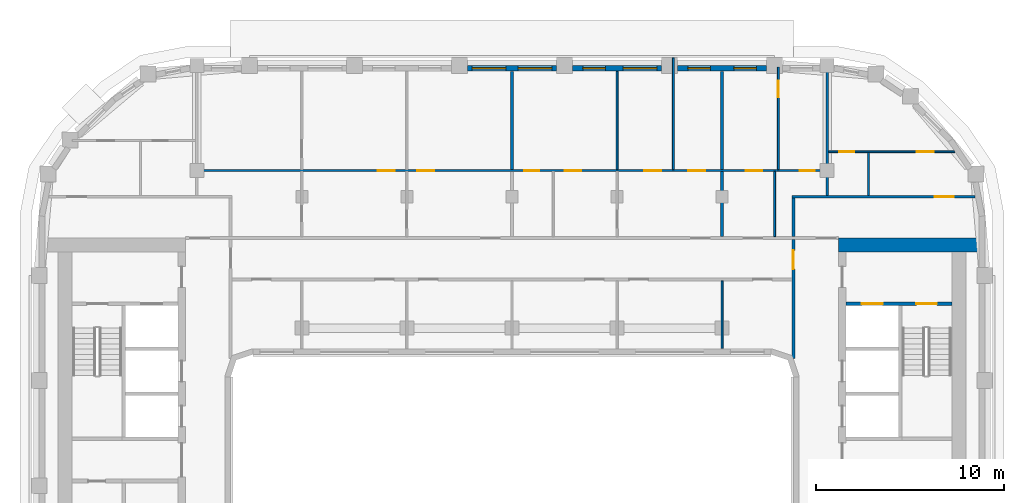
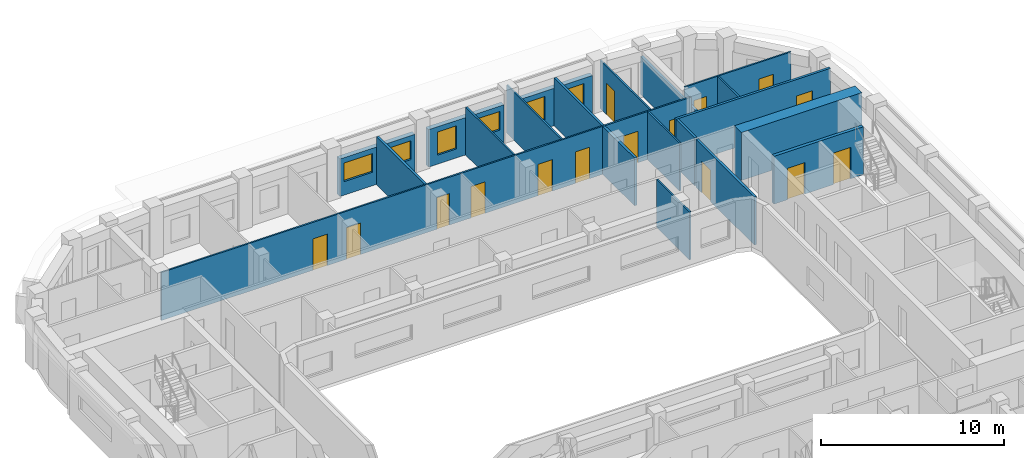
# One storey, part 8 of 21: 20 walls, 15 doors, 6 windows, 21 openings.
"""IFC4 building model written with IfcOpenShell, lengths in metres."""

from ifc_helpers import new_model, si_unit, direction, frame, frame_2d, origin, place, context, subcontext, project, spatial, rectangle, extrude, material, layer, layer_set, type_object, element, fill, save


model = new_model("IFC4")

# Units and contexts
model_context = context("Model", 3, precision=1e-05, world=origin(), true_north=direction((0.0, 1.0)))
body_context = subcontext(model_context, "Body", "Model", "MODEL_VIEW")
ifc_project = project(units=[si_unit("LENGTHUNIT", "METRE"), si_unit("AREAUNIT", "SQUARE_METRE"), si_unit("VOLUMEUNIT", "CUBIC_METRE"), si_unit("PLANEANGLEUNIT", "RADIAN"), si_unit("MASSUNIT", "GRAM", prefix="KILO")], contexts=[model_context])

# Site, building, storey
site_placement = place(None, origin())
site = spatial("IfcSite", under=ifc_project, at=site_placement, CompositionType="ELEMENT")
building_placement = place(site_placement, origin())
building = spatial("IfcBuilding", under=site, at=building_placement, Name="Kiln Ring Residences", CompositionType="ELEMENT")
storey_placement = place(building_placement, frame((0.0, 0.0, 216.89990234375)))
storey = spatial("IfcBuildingStorey", under=building, at=storey_placement, Name="L56", CompositionType="ELEMENT", Elevation=216.89990234375)

# Wall, openings, doors
ifc_material_1 = material(Name="Concrete C40/50", Category="concrete")
ifc_layer_1 = layer(ifc_material_1, 0.199951171875)
ifc_layer_set_1 = layer_set([ifc_layer_1], Name="CORE-WALL-RC200")
wall_type_1 = type_object("IfcWallType", Name="CORE-WALL-RC200", PredefinedType="SHEAR", material=ifc_layer_set_1)
wall_1_placement = place(storey_placement, frame((17.800048828125, 9.699951171875, 0.0), z_axis=(0.0, 0.0, 1.0), x_axis=(1.0, 0.0, 0.0)))
wall_1 = element("IfcWall", 1, at=wall_1_placement, inside=storey, type_object=wall_type_1, Name="Core wall east L56 9", PredefinedType="SHEAR", context=body_context, shape_type="SweptSolid", body=[
    extrude(rectangle(XDim=5.64990234375, YDim=0.199951171875, at=frame_2d((2.824951171875, 0.0))), origin(), (0.0, 0.0, 1.0), 3.2001953125),
])
opening_1_placement = place(wall_1_placement, frame((0.85009765625, 0.0, 0.0)))
opening_1 = element("IfcOpeningElement", 2, at=opening_1_placement, cuts=wall_1, Name="Opening L56-CE06", PredefinedType="OPENING", context=body_context, shape_type="SweptSolid", body=[
    extrude(rectangle(XDim=1.10009765625, YDim=2.10009765625, at=frame_2d((0.550048828125, 1.050048828125))), frame((0.0, 0.10986328125, 0.0), z_axis=(0.0, -1.0, 0.0), x_axis=(1.0, 0.0, 0.0)), (0.0, 0.0, 1.0), 0.219970703125),
])
opening_2_placement = place(wall_1_placement, frame((3.75, 0.0, 0.0)))
opening_2 = element("IfcOpeningElement", 3, at=opening_2_placement, cuts=wall_1, Name="Opening L56-CE09", PredefinedType="OPENING", context=body_context, shape_type="SweptSolid", body=[
    extrude(rectangle(XDim=1.10009765625, YDim=2.10009765625, at=frame_2d((0.550048828125, 1.050048828125))), frame((0.0, 0.10986328125, 0.0), z_axis=(0.0, -1.0, 0.0), x_axis=(1.0, 0.0, 0.0)), (0.0, 0.0, 1.0), 0.219970703125),
])
ifc_material_2 = material(Name="Steel door leaf", Category="steel")
door_type_1 = type_object("IfcDoorType", Name="CORE-DOOR-LD", OperationType="DOUBLE_DOOR_SLIDING", PredefinedType="DOOR", material=ifc_material_2)
door_1_placement = place(opening_1_placement, origin())
door_1 = element("IfcDoor", 4, at=door_1_placement, inside=storey, type_object=door_type_1, Name="LD E-FF L56-CE06", OperationType="DOUBLE_DOOR_SLIDING", OverallHeight=2.10009765625, OverallWidth=1.10009765625, PredefinedType="DOOR", context=body_context, shape_type="SweptSolid", body=[
    extrude(rectangle(XDim=1.10009765625, YDim=2.10009765625, at=frame_2d((0.550048828125, 1.050048828125))), frame((0.0, 0.02490234375, 0.0), z_axis=(0.0, -1.0, 0.0), x_axis=(1.0, 0.0, 0.0)), (0.0, 0.0, 1.0), 0.050048828125),
])
fill(opening_1, door_1)
ifc_material_3 = material(Name="Steel door leaf", Category="steel")
door_type_2 = type_object("IfcDoorType", Name="CORE-DOOR-STAIR", OperationType="SINGLE_SWING_LEFT", PredefinedType="DOOR", material=ifc_material_3)
door_2_placement = place(opening_2_placement, origin())
door_2 = element("IfcDoor", 5, at=door_2_placement, inside=storey, type_object=door_type_2, Name="Stair E-STN L56-CE09", OperationType="SINGLE_SWING_RIGHT", OverallHeight=2.10009765625, OverallWidth=1.10009765625, PredefinedType="DOOR", context=body_context, shape_type="SweptSolid", body=[
    extrude(rectangle(XDim=1.10009765625, YDim=2.10009765625, at=frame_2d((0.550048828125, 1.050048828125))), frame((0.0, 0.02490234375, 0.0), z_axis=(0.0, -1.0, 0.0), x_axis=(1.0, 0.0, 0.0)), (0.0, 0.0, 1.0), 0.050048828125),
])
fill(opening_2, door_2)

# Wall
ifc_material_4 = material(Name="Concrete C60/75", Category="concrete")
ifc_layer_2 = layer(ifc_material_4, 0.75)
ifc_layer_set_2 = layer_set([ifc_layer_2], Name="CORE-WALL-RC750")
wall_type_2 = type_object("IfcWallType", Name="CORE-WALL-RC750", PredefinedType="SHEAR", material=ifc_layer_set_2)
wall_2_placement = place(storey_placement, frame((17.39990234375, 12.824951171875, 0.0), z_axis=(0.0, 0.0, 1.0), x_axis=(1.0, 0.0, 0.0)))
element("IfcWall", 6, at=wall_2_placement, inside=storey, type_object=wall_type_2, Name="Core wall east L56 4", PredefinedType="SHEAR", context=body_context, shape_type="SweptSolid", body=[
    extrude(rectangle(XDim=7.60009765625, YDim=0.75, at=frame_2d((3.800048828125, 0.0))), origin(), (0.0, 0.0, 1.0), 3.2001953125),
])

# Wall, openings, windows
ifc_material_5 = material(Name="Brick masonry, dark clay brick", Category="masonry")
ifc_layer_3 = layer(ifc_material_5, 0.300048828125)
ifc_layer_set_3 = layer_set([ifc_layer_3], Name="EW-300 BRICK WALL")
wall_type_3 = type_object("IfcWallType", Name="EW-300 BRICK WALL", PredefinedType="SOLIDWALL", material=ifc_layer_set_3)
wall_3_placement = place(storey_placement, frame((13.574951171875, 22.25, 0.0), z_axis=(0.0, 0.0, 1.0), x_axis=(-1.0, 0.0, 0.0)))
wall_3 = element("IfcWall", 7, at=wall_3_placement, inside=storey, type_object=wall_type_3, Name="Facade wall L56 28", PredefinedType="SOLIDWALL", context=body_context, shape_type="SweptSolid", body=[
    extrude(rectangle(XDim=4.75, YDim=0.300048828125, at=frame_2d((2.375, 0.0))), origin(), (0.0, 0.0, 1.0), 2.5),
])
opening_3_placement = place(wall_3_placement, frame((0.550048828125, 0.0, 0.60009765625)))
opening_3 = element("IfcOpeningElement", 8, at=opening_3_placement, cuts=wall_3, Name="Opening W1", PredefinedType="OPENING", context=body_context, shape_type="SweptSolid", body=[
    extrude(rectangle(XDim=1.199951171875, YDim=1.550048828125, at=frame_2d((0.60009765625, 0.77490234375))), frame((0.0, 0.159912109375, 0.0), z_axis=(0.0, -1.0, 0.0), x_axis=(1.0, 0.0, 0.0)), (0.0, 0.0, 1.0), 0.320068359375),
])
opening_4_placement = place(wall_3_placement, frame((3.0, 0.0, 0.60009765625)))
opening_4 = element("IfcOpeningElement", 9, at=opening_4_placement, cuts=wall_3, Name="Opening W1", PredefinedType="OPENING", context=body_context, shape_type="SweptSolid", body=[
    extrude(rectangle(XDim=1.199951171875, YDim=1.550048828125, at=frame_2d((0.60009765625, 0.77490234375))), frame((0.0, 0.159912109375, 0.0), z_axis=(0.0, -1.0, 0.0), x_axis=(1.0, 0.0, 0.0)), (0.0, 0.0, 1.0), 0.320068359375),
])
ifc_material_6 = material(Name="Aluminium frame with double glazing", Category="aluminium")
window_type_1 = type_object("IfcWindowType", Name="WINDOW 1200 x 1550", PartitioningType="SINGLE_PANEL", PredefinedType="WINDOW", material=ifc_material_6)
window_1_placement = place(opening_3_placement, origin())
window_1 = element("IfcWindow", 10, at=window_1_placement, inside=storey, type_object=window_type_1, Name="Window L56 20", OverallHeight=1.550048828125, OverallWidth=1.199951171875, PartitioningType="SINGLE_PANEL", PredefinedType="WINDOW", context=body_context, shape_type="SweptSolid", body=[
    extrude(rectangle(XDim=1.199951171875, YDim=1.550048828125, at=frame_2d((0.60009765625, 0.77490234375))), frame((0.0, 0.030029296875, 0.0), z_axis=(0.0, -1.0, 0.0), x_axis=(1.0, 0.0, 0.0)), (0.0, 0.0, 1.0), 0.06005859375),
])
fill(opening_3, window_1)
window_2_placement = place(opening_4_placement, origin())
window_2 = element("IfcWindow", 11, at=window_2_placement, inside=storey, type_object=window_type_1, Name="Window L56 21", OverallHeight=1.550048828125, OverallWidth=1.199951171875, PartitioningType="SINGLE_PANEL", PredefinedType="WINDOW", context=body_context, shape_type="SweptSolid", body=[
    extrude(rectangle(XDim=1.199951171875, YDim=1.550048828125, at=frame_2d((0.60009765625, 0.77490234375))), frame((0.0, 0.030029296875, 0.0), z_axis=(0.0, -1.0, 0.0), x_axis=(1.0, 0.0, 0.0)), (0.0, 0.0, 1.0), 0.06005859375),
])
fill(opening_4, window_2)

wall_4_placement = place(storey_placement, frame((7.97509765625, 22.25, 0.0), z_axis=(0.0, 0.0, 1.0), x_axis=(-1.0, 0.0, 0.0)))
wall_4 = element("IfcWall", 12, at=wall_4_placement, inside=storey, type_object=wall_type_3, Name="Facade wall L56 29", PredefinedType="SOLIDWALL", context=body_context, shape_type="SweptSolid", body=[
    extrude(rectangle(XDim=4.75, YDim=0.300048828125, at=frame_2d((2.375, 0.0))), origin(), (0.0, 0.0, 1.0), 2.5),
])
opening_5_placement = place(wall_4_placement, frame((0.25, 0.0, 0.89990234375)))
opening_5 = element("IfcOpeningElement", 13, at=opening_5_placement, cuts=wall_4, Name="Opening W2", PredefinedType="OPENING", context=body_context, shape_type="SweptSolid", body=[
    extrude(rectangle(XDim=1.800048828125, YDim=1.25, at=frame_2d((0.89990234375, 0.625))), frame((0.0, 0.159912109375, 0.0), z_axis=(0.0, -1.0, 0.0), x_axis=(1.0, 0.0, 0.0)), (0.0, 0.0, 1.0), 0.320068359375),
])
opening_6_placement = place(wall_4_placement, frame((3.0, 0.0, 0.60009765625)))
opening_6 = element("IfcOpeningElement", 14, at=opening_6_placement, cuts=wall_4, Name="Opening W1", PredefinedType="OPENING", context=body_context, shape_type="SweptSolid", body=[
    extrude(rectangle(XDim=1.199951171875, YDim=1.550048828125, at=frame_2d((0.60009765625, 0.77490234375))), frame((0.0, 0.159912109375, 0.0), z_axis=(0.0, -1.0, 0.0), x_axis=(1.0, 0.0, 0.0)), (0.0, 0.0, 1.0), 0.320068359375),
])
window_3_placement = place(opening_6_placement, origin())
window_3 = element("IfcWindow", 15, at=window_3_placement, inside=storey, type_object=window_type_1, Name="Window L56 23", OverallHeight=1.550048828125, OverallWidth=1.199951171875, PartitioningType="SINGLE_PANEL", PredefinedType="WINDOW", context=body_context, shape_type="SweptSolid", body=[
    extrude(rectangle(XDim=1.199951171875, YDim=1.550048828125, at=frame_2d((0.60009765625, 0.77490234375))), frame((0.0, 0.030029296875, 0.0), z_axis=(0.0, -1.0, 0.0), x_axis=(1.0, 0.0, 0.0)), (0.0, 0.0, 1.0), 0.06005859375),
])
fill(opening_6, window_3)
ifc_material_7 = material(Name="Aluminium frame with double glazing", Category="aluminium")
window_type_2 = type_object("IfcWindowType", Name="WINDOW 1800 x 1250", PartitioningType="SINGLE_PANEL", PredefinedType="WINDOW", material=ifc_material_7)
window_4_placement = place(opening_5_placement, origin())
window_4 = element("IfcWindow", 16, at=window_4_placement, inside=storey, type_object=window_type_2, Name="Window L56 22", OverallHeight=1.25, OverallWidth=1.800048828125, PartitioningType="SINGLE_PANEL", PredefinedType="WINDOW", context=body_context, shape_type="SweptSolid", body=[
    extrude(rectangle(XDim=1.800048828125, YDim=1.25, at=frame_2d((0.89990234375, 0.625))), frame((0.0, 0.030029296875, 0.0), z_axis=(0.0, -1.0, 0.0), x_axis=(1.0, 0.0, 0.0)), (0.0, 0.0, 1.0), 0.06005859375),
])
fill(opening_5, window_4)

wall_5_placement = place(storey_placement, frame((2.375, 22.25, 0.0), z_axis=(0.0, 0.0, 1.0), x_axis=(-1.0, 0.0, 0.0)))
wall_5 = element("IfcWall", 17, at=wall_5_placement, inside=storey, type_object=wall_type_3, Name="Facade wall L56 30", PredefinedType="SOLIDWALL", context=body_context, shape_type="SweptSolid", body=[
    extrude(rectangle(XDim=4.75, YDim=0.300048828125, at=frame_2d((2.375, 0.0))), origin(), (0.0, 0.0, 1.0), 2.5),
])
opening_7_placement = place(wall_5_placement, frame((0.25, 0.0, 0.89990234375)))
opening_7 = element("IfcOpeningElement", 18, at=opening_7_placement, cuts=wall_5, Name="Opening W2", PredefinedType="OPENING", context=body_context, shape_type="SweptSolid", body=[
    extrude(rectangle(XDim=1.800048828125, YDim=1.25, at=frame_2d((0.89990234375, 0.625))), frame((0.0, 0.159912109375, 0.0), z_axis=(0.0, -1.0, 0.0), x_axis=(1.0, 0.0, 0.0)), (0.0, 0.0, 1.0), 0.320068359375),
])
opening_8_placement = place(wall_5_placement, frame((2.699951171875, 0.0, 0.89990234375)))
opening_8 = element("IfcOpeningElement", 19, at=opening_8_placement, cuts=wall_5, Name="Opening W2", PredefinedType="OPENING", context=body_context, shape_type="SweptSolid", body=[
    extrude(rectangle(XDim=1.800048828125, YDim=1.25, at=frame_2d((0.89990234375, 0.625))), frame((0.0, 0.159912109375, 0.0), z_axis=(0.0, -1.0, 0.0), x_axis=(1.0, 0.0, 0.0)), (0.0, 0.0, 1.0), 0.320068359375),
])
window_5_placement = place(opening_7_placement, origin())
window_5 = element("IfcWindow", 20, at=window_5_placement, inside=storey, type_object=window_type_2, Name="Window L56 24", OverallHeight=1.25, OverallWidth=1.800048828125, PartitioningType="SINGLE_PANEL", PredefinedType="WINDOW", context=body_context, shape_type="SweptSolid", body=[
    extrude(rectangle(XDim=1.800048828125, YDim=1.25, at=frame_2d((0.89990234375, 0.625))), frame((0.0, 0.030029296875, 0.0), z_axis=(0.0, -1.0, 0.0), x_axis=(1.0, 0.0, 0.0)), (0.0, 0.0, 1.0), 0.06005859375),
])
fill(opening_7, window_5)
window_6_placement = place(opening_8_placement, origin())
window_6 = element("IfcWindow", 21, at=window_6_placement, inside=storey, type_object=window_type_2, Name="Window L56 25", OverallHeight=1.25, OverallWidth=1.800048828125, PartitioningType="SINGLE_PANEL", PredefinedType="WINDOW", context=body_context, shape_type="SweptSolid", body=[
    extrude(rectangle(XDim=1.800048828125, YDim=1.25, at=frame_2d((0.89990234375, 0.625))), frame((0.0, 0.030029296875, 0.0), z_axis=(0.0, -1.0, 0.0), x_axis=(1.0, 0.0, 0.0)), (0.0, 0.0, 1.0), 0.06005859375),
])
fill(opening_8, window_6)

# Wall, openings, doors
ifc_material_8 = material(Name="Gypsum board on steel studs", Category="steel")
ifc_layer_4 = layer(ifc_material_8, 0.10009765625)
ifc_layer_set_4 = layer_set([ifc_layer_4], Name="PARTITION-100")
wall_type_4 = type_object("IfcWallType", Name="PARTITION-100", PredefinedType="PARTITIONING", material=ifc_layer_set_4)
wall_6_placement = place(storey_placement, frame((-16.72509765625, 16.800048828125, 0.0), z_axis=(0.0, 0.0, 1.0), x_axis=(1.0, 0.0, 0.0)))
wall_6 = element("IfcWall", 22, at=wall_6_placement, inside=storey, type_object=wall_type_4, Name="Partition 011", PredefinedType="PARTITIONING", context=body_context, shape_type="SweptSolid", body=[
    extrude(rectangle(XDim=33.4501953125, YDim=0.10009765625, at=frame_2d((16.72509765625, 0.0))), origin(), (0.0, 0.0, 1.0), 3.2001953125),
])
opening_9_placement = place(wall_6_placement, frame((11.675048828125, 0.0, 0.0)))
opening_9 = element("IfcOpeningElement", 23, at=opening_9_placement, cuts=wall_6, Name="Opening L56-D018", PredefinedType="OPENING", context=body_context, shape_type="SweptSolid", body=[
    extrude(rectangle(XDim=0.89990234375, YDim=2.10009765625, at=frame_2d((0.449951171875, 1.050048828125))), frame((0.0, 0.06005859375, 0.0), z_axis=(0.0, -1.0, 0.0), x_axis=(1.0, 0.0, 0.0)), (0.0, 0.0, 1.0), 0.1201171875),
])
opening_10_placement = place(wall_6_placement, frame((9.574951171875, 0.0, 0.0)))
opening_10 = element("IfcOpeningElement", 24, at=opening_10_placement, cuts=wall_6, Name="Opening L56-D019", PredefinedType="OPENING", context=body_context, shape_type="SweptSolid", body=[
    extrude(rectangle(XDim=0.89990234375, YDim=2.10009765625, at=frame_2d((0.449951171875, 1.050048828125))), frame((0.0, 0.06005859375, 0.0), z_axis=(0.0, -1.0, 0.0), x_axis=(1.0, 0.0, 0.0)), (0.0, 0.0, 1.0), 0.1201171875),
])
opening_11_placement = place(wall_6_placement, frame((17.375, 0.0, 0.0)))
opening_11 = element("IfcOpeningElement", 25, at=opening_11_placement, cuts=wall_6, Name="Opening L56-D023", PredefinedType="OPENING", context=body_context, shape_type="SweptSolid", body=[
    extrude(rectangle(XDim=0.800048828125, YDim=2.10009765625, at=frame_2d((0.39990234375, 1.050048828125))), frame((0.0, 0.06005859375, 0.0), z_axis=(0.0, -1.0, 0.0), x_axis=(1.0, 0.0, 0.0)), (0.0, 0.0, 1.0), 0.1201171875),
])
opening_12_placement = place(wall_6_placement, frame((19.52490234375, 0.0, 0.0)))
opening_12 = element("IfcOpeningElement", 26, at=opening_12_placement, cuts=wall_6, Name="Opening L56-D024", PredefinedType="OPENING", context=body_context, shape_type="SweptSolid", body=[
    extrude(rectangle(XDim=0.89990234375, YDim=2.10009765625, at=frame_2d((0.449951171875, 1.050048828125))), frame((0.0, 0.06005859375, 0.0), z_axis=(0.0, -1.0, 0.0), x_axis=(1.0, 0.0, 0.0)), (0.0, 0.0, 1.0), 0.1201171875),
])
opening_13_placement = place(wall_6_placement, frame((23.77490234375, 0.0, 0.0)))
opening_13 = element("IfcOpeningElement", 27, at=opening_13_placement, cuts=wall_6, Name="Opening L56-D025", PredefinedType="OPENING", context=body_context, shape_type="SweptSolid", body=[
    extrude(rectangle(XDim=0.89990234375, YDim=2.10009765625, at=frame_2d((0.449951171875, 1.050048828125))), frame((0.0, 0.06005859375, 0.0), z_axis=(0.0, -1.0, 0.0), x_axis=(1.0, 0.0, 0.0)), (0.0, 0.0, 1.0), 0.1201171875),
])
opening_14_placement = place(wall_6_placement, frame((26.125, 0.0, 0.0)))
opening_14 = element("IfcOpeningElement", 28, at=opening_14_placement, cuts=wall_6, Name="Opening L56-D026", PredefinedType="OPENING", context=body_context, shape_type="SweptSolid", body=[
    extrude(rectangle(XDim=0.89990234375, YDim=2.10009765625, at=frame_2d((0.449951171875, 1.050048828125))), frame((0.0, 0.06005859375, 0.0), z_axis=(0.0, -1.0, 0.0), x_axis=(1.0, 0.0, 0.0)), (0.0, 0.0, 1.0), 0.1201171875),
])
opening_15_placement = place(wall_6_placement, frame((32.074951171875, 0.0, 0.0)))
opening_15 = element("IfcOpeningElement", 29, at=opening_15_placement, cuts=wall_6, Name="Opening L56-D028", PredefinedType="OPENING", context=body_context, shape_type="SweptSolid", body=[
    extrude(rectangle(XDim=0.800048828125, YDim=2.10009765625, at=frame_2d((0.39990234375, 1.050048828125))), frame((0.0, 0.06005859375, 0.0), z_axis=(0.0, -1.0, 0.0), x_axis=(1.0, 0.0, 0.0)), (0.0, 0.0, 1.0), 0.1201171875),
])
opening_16_placement = place(wall_6_placement, frame((29.175048828125, 0.0, 0.0)))
opening_16 = element("IfcOpeningElement", 30, at=opening_16_placement, cuts=wall_6, Name="Opening L56-D029", PredefinedType="OPENING", context=body_context, shape_type="SweptSolid", body=[
    extrude(rectangle(XDim=0.89990234375, YDim=2.10009765625, at=frame_2d((0.449951171875, 1.050048828125))), frame((0.0, 0.06005859375, 0.0), z_axis=(0.0, -1.0, 0.0), x_axis=(1.0, 0.0, 0.0)), (0.0, 0.0, 1.0), 0.1201171875),
])
ifc_material_9 = material(Name="Timber door leaf", Category="wood")
door_type_3 = type_object("IfcDoorType", Name="FLAT-DOOR-800-PL", OperationType="SINGLE_SWING_LEFT", PredefinedType="DOOR", material=ifc_material_9)
door_3_placement = place(opening_11_placement, origin())
door_3 = element("IfcDoor", 31, at=door_3_placement, inside=storey, type_object=door_type_3, Name="Door L56-D023", OperationType="SINGLE_SWING_LEFT", OverallHeight=2.10009765625, OverallWidth=0.800048828125, PredefinedType="DOOR", context=body_context, shape_type="SweptSolid", body=[
    extrude(rectangle(XDim=0.800048828125, YDim=2.10009765625, at=frame_2d((0.39990234375, 1.050048828125))), frame((0.0, 0.02490234375, 0.0), z_axis=(0.0, -1.0, 0.0), x_axis=(1.0, 0.0, 0.0)), (0.0, 0.0, 1.0), 0.050048828125),
])
fill(opening_11, door_3)
door_4_placement = place(opening_15_placement, origin())
door_4 = element("IfcDoor", 32, at=door_4_placement, inside=storey, type_object=door_type_3, Name="Door L56-D028", OperationType="SINGLE_SWING_RIGHT", OverallHeight=2.10009765625, OverallWidth=0.800048828125, PredefinedType="DOOR", context=body_context, shape_type="SweptSolid", body=[
    extrude(rectangle(XDim=0.800048828125, YDim=2.10009765625, at=frame_2d((0.39990234375, 1.050048828125))), frame((0.0, 0.02490234375, 0.0), z_axis=(0.0, -1.0, 0.0), x_axis=(1.0, 0.0, 0.0)), (0.0, 0.0, 1.0), 0.050048828125),
])
fill(opening_15, door_4)
ifc_material_10 = material(Name="Timber door leaf", Category="wood")
door_type_4 = type_object("IfcDoorType", Name="FLAT-DOOR-900-PL", OperationType="SINGLE_SWING_LEFT", PredefinedType="DOOR", material=ifc_material_10)
door_5_placement = place(opening_9_placement, origin())
door_5 = element("IfcDoor", 33, at=door_5_placement, inside=storey, type_object=door_type_4, Name="Door L56-D018", OperationType="SINGLE_SWING_RIGHT", OverallHeight=2.10009765625, OverallWidth=0.89990234375, PredefinedType="DOOR", context=body_context, shape_type="SweptSolid", body=[
    extrude(rectangle(XDim=0.89990234375, YDim=2.10009765625, at=frame_2d((0.449951171875, 1.050048828125))), frame((0.0, 0.02490234375, 0.0), z_axis=(0.0, -1.0, 0.0), x_axis=(1.0, 0.0, 0.0)), (0.0, 0.0, 1.0), 0.050048828125),
])
fill(opening_9, door_5)
door_6_placement = place(opening_10_placement, origin())
door_6 = element("IfcDoor", 34, at=door_6_placement, inside=storey, type_object=door_type_4, Name="Door L56-D019", OperationType="SINGLE_SWING_LEFT", OverallHeight=2.10009765625, OverallWidth=0.89990234375, PredefinedType="DOOR", context=body_context, shape_type="SweptSolid", body=[
    extrude(rectangle(XDim=0.89990234375, YDim=2.10009765625, at=frame_2d((0.449951171875, 1.050048828125))), frame((0.0, 0.02490234375, 0.0), z_axis=(0.0, -1.0, 0.0), x_axis=(1.0, 0.0, 0.0)), (0.0, 0.0, 1.0), 0.050048828125),
])
fill(opening_10, door_6)
door_7_placement = place(opening_12_placement, origin())
door_7 = element("IfcDoor", 35, at=door_7_placement, inside=storey, type_object=door_type_4, Name="Door L56-D024", OperationType="SINGLE_SWING_RIGHT", OverallHeight=2.10009765625, OverallWidth=0.89990234375, PredefinedType="DOOR", context=body_context, shape_type="SweptSolid", body=[
    extrude(rectangle(XDim=0.89990234375, YDim=2.10009765625, at=frame_2d((0.449951171875, 1.050048828125))), frame((0.0, 0.02490234375, 0.0), z_axis=(0.0, -1.0, 0.0), x_axis=(1.0, 0.0, 0.0)), (0.0, 0.0, 1.0), 0.050048828125),
])
fill(opening_12, door_7)
door_8_placement = place(opening_13_placement, origin())
door_8 = element("IfcDoor", 36, at=door_8_placement, inside=storey, type_object=door_type_4, Name="Door L56-D025", OperationType="SINGLE_SWING_LEFT", OverallHeight=2.10009765625, OverallWidth=0.89990234375, PredefinedType="DOOR", context=body_context, shape_type="SweptSolid", body=[
    extrude(rectangle(XDim=0.89990234375, YDim=2.10009765625, at=frame_2d((0.449951171875, 1.050048828125))), frame((0.0, 0.02490234375, 0.0), z_axis=(0.0, -1.0, 0.0), x_axis=(1.0, 0.0, 0.0)), (0.0, 0.0, 1.0), 0.050048828125),
])
fill(opening_13, door_8)
door_9_placement = place(opening_14_placement, origin())
door_9 = element("IfcDoor", 37, at=door_9_placement, inside=storey, type_object=door_type_4, Name="Door L56-D026", OperationType="SINGLE_SWING_RIGHT", OverallHeight=2.10009765625, OverallWidth=0.89990234375, PredefinedType="DOOR", context=body_context, shape_type="SweptSolid", body=[
    extrude(rectangle(XDim=0.89990234375, YDim=2.10009765625, at=frame_2d((0.449951171875, 1.050048828125))), frame((0.0, 0.02490234375, 0.0), z_axis=(0.0, -1.0, 0.0), x_axis=(1.0, 0.0, 0.0)), (0.0, 0.0, 1.0), 0.050048828125),
])
fill(opening_14, door_9)
door_10_placement = place(opening_16_placement, origin())
door_10 = element("IfcDoor", 38, at=door_10_placement, inside=storey, type_object=door_type_4, Name="Door L56-D029", OperationType="SINGLE_SWING_LEFT", OverallHeight=2.10009765625, OverallWidth=0.89990234375, PredefinedType="DOOR", context=body_context, shape_type="SweptSolid", body=[
    extrude(rectangle(XDim=0.89990234375, YDim=2.10009765625, at=frame_2d((0.449951171875, 1.050048828125))), frame((0.0, 0.02490234375, 0.0), z_axis=(0.0, -1.0, 0.0), x_axis=(1.0, 0.0, 0.0)), (0.0, 0.0, 1.0), 0.050048828125),
])
fill(opening_16, door_10)

wall_7_placement = place(storey_placement, frame((16.875, 17.800048828125, 0.0), z_axis=(0.0, 0.0, 1.0), x_axis=(1.0, 0.0, 0.0)))
wall_7 = element("IfcWall", 39, at=wall_7_placement, inside=storey, type_object=wall_type_4, Name="Partition 012", PredefinedType="PARTITIONING", context=body_context, shape_type="SweptSolid", body=[
    extrude(rectangle(XDim=6.718994140625, YDim=0.10009765625, at=frame_2d((3.359375, 0.0))), origin(), (0.0, 0.0, 1.0), 3.2001953125),
])
opening_17_placement = place(wall_7_placement, frame((0.574951171875, 0.0, 0.0)))
opening_17 = element("IfcOpeningElement", 40, at=opening_17_placement, cuts=wall_7, Name="Opening L56-D032", PredefinedType="OPENING", context=body_context, shape_type="SweptSolid", body=[
    extrude(rectangle(XDim=0.800048828125, YDim=2.10009765625, at=frame_2d((0.39990234375, 1.050048828125))), frame((0.0, 0.06005859375, 0.0), z_axis=(0.0, -1.0, 0.0), x_axis=(1.0, 0.0, 0.0)), (0.0, 0.0, 1.0), 0.1201171875),
])
opening_18_placement = place(wall_7_placement, frame((4.693115234375, 0.0, 0.0)))
opening_18 = element("IfcOpeningElement", 41, at=opening_18_placement, cuts=wall_7, Name="Opening L56-D033", PredefinedType="OPENING", context=body_context, shape_type="SweptSolid", body=[
    extrude(rectangle(XDim=0.89990234375, YDim=2.10009765625, at=frame_2d((0.449951171875, 1.050048828125))), frame((0.0, 0.06005859375, 0.0), z_axis=(0.0, -1.0, 0.0), x_axis=(1.0, 0.0, 0.0)), (0.0, 0.0, 1.0), 0.1201171875),
])
door_11_placement = place(opening_17_placement, origin())
door_11 = element("IfcDoor", 42, at=door_11_placement, inside=storey, type_object=door_type_3, Name="Door L56-D032", OperationType="SINGLE_SWING_RIGHT", OverallHeight=2.10009765625, OverallWidth=0.800048828125, PredefinedType="DOOR", context=body_context, shape_type="SweptSolid", body=[
    extrude(rectangle(XDim=0.800048828125, YDim=2.10009765625, at=frame_2d((0.39990234375, 1.050048828125))), frame((0.0, 0.02490234375, 0.0), z_axis=(0.0, -1.0, 0.0), x_axis=(1.0, 0.0, 0.0)), (0.0, 0.0, 1.0), 0.050048828125),
])
fill(opening_17, door_11)
door_12_placement = place(opening_18_placement, origin())
door_12 = element("IfcDoor", 43, at=door_12_placement, inside=storey, type_object=door_type_4, Name="Door L56-D033", OperationType="SINGLE_SWING_LEFT", OverallHeight=2.10009765625, OverallWidth=0.89990234375, PredefinedType="DOOR", context=body_context, shape_type="SweptSolid", body=[
    extrude(rectangle(XDim=0.89990234375, YDim=2.10009765625, at=frame_2d((0.449951171875, 1.050048828125))), frame((0.0, 0.02490234375, 0.0), z_axis=(0.0, -1.0, 0.0), x_axis=(1.0, 0.0, 0.0)), (0.0, 0.0, 1.0), 0.050048828125),
])
fill(opening_18, door_12)

# Walls
wall_8_placement = place(storey_placement, frame((5.60009765625, 16.85009765625, 0.0), z_axis=(0.0, 0.0, 1.0), x_axis=(0.0, 1.0, 0.0)))
element("IfcWall", 44, at=wall_8_placement, inside=storey, type_object=wall_type_4, Name="Partition 050", PredefinedType="PARTITIONING", context=body_context, shape_type="SweptSolid", body=[
    extrude(rectangle(XDim=5.22998046875, YDim=0.10009765625, at=frame_2d((2.614990234375, 0.0))), origin(), (0.0, 0.0, 1.0), 3.2001953125),
])
wall_9_placement = place(storey_placement, frame((8.60009765625, 16.85009765625, 0.0), z_axis=(0.0, 0.0, 1.0), x_axis=(0.0, 1.0, 0.0)))
element("IfcWall", 45, at=wall_9_placement, inside=storey, type_object=wall_type_4, Name="Partition 052", PredefinedType="PARTITIONING", context=body_context, shape_type="SweptSolid", body=[
    extrude(rectangle(XDim=5.954833984375, YDim=0.10009765625, at=frame_2d((2.9775390625, 0.0))), origin(), (0.0, 0.0, 1.0), 3.2001953125),
])
wall_10_placement = place(storey_placement, frame((11.199951171875, 7.320068359375, 0.0), z_axis=(0.0, 0.0, 1.0), x_axis=(0.0, 1.0, 0.0)))
element("IfcWall", 46, at=wall_10_placement, inside=storey, type_object=wall_type_4, Name="Partition 054", PredefinedType="PARTITIONING", context=body_context, shape_type="SweptSolid", body=[
    extrude(rectangle(XDim=3.60498046875, YDim=0.10009765625, at=frame_2d((1.802490234375, 0.0))), origin(), (0.0, 0.0, 1.0), 3.2001953125),
])
wall_11_placement = place(storey_placement, frame((14.0, 13.27490234375, 0.0), z_axis=(0.0, 0.0, 1.0), x_axis=(0.0, 1.0, 0.0)))
element("IfcWall", 47, at=wall_11_placement, inside=storey, type_object=wall_type_4, Name="Partition 060", PredefinedType="PARTITIONING", context=body_context, shape_type="SweptSolid", body=[
    extrude(rectangle(XDim=3.47509765625, YDim=0.10009765625, at=frame_2d((1.737548828125, 0.0))), origin(), (0.0, 0.0, 1.0), 3.2001953125),
])

# Wall, opening, door
wall_12_placement = place(storey_placement, frame((14.199951171875, 16.85009765625, 0.0), z_axis=(0.0, 0.0, 1.0), x_axis=(0.0, 1.0, 0.0)))
wall_12 = element("IfcWall", 48, at=wall_12_placement, inside=storey, type_object=wall_type_4, Name="Partition 061", PredefinedType="PARTITIONING", context=body_context, shape_type="SweptSolid", body=[
    extrude(rectangle(XDim=5.4599609375, YDim=0.10009765625, at=frame_2d((2.72998046875, 0.0))), origin(), (0.0, 0.0, 1.0), 3.2001953125),
])
opening_19_placement = place(wall_12_placement, frame((3.85009765625, 0.0, 0.0)))
opening_19 = element("IfcOpeningElement", 49, at=opening_19_placement, cuts=wall_12, Name="Opening L56-D030", PredefinedType="OPENING", context=body_context, shape_type="SweptSolid", body=[
    extrude(rectangle(XDim=0.89990234375, YDim=2.10009765625, at=frame_2d((0.449951171875, 1.050048828125))), frame((0.0, 0.06005859375, 0.0), z_axis=(0.0, -1.0, 0.0), x_axis=(1.0, 0.0, 0.0)), (0.0, 0.0, 1.0), 0.1201171875),
])
door_13_placement = place(opening_19_placement, origin())
door_13 = element("IfcDoor", 50, at=door_13_placement, inside=storey, type_object=door_type_4, Name="Door L56-D030", OperationType="SINGLE_SWING_RIGHT", OverallHeight=2.10009765625, OverallWidth=0.89990234375, PredefinedType="DOOR", context=body_context, shape_type="SweptSolid", body=[
    extrude(rectangle(XDim=0.89990234375, YDim=2.10009765625, at=frame_2d((0.449951171875, 1.050048828125))), frame((0.0, 0.02490234375, 0.0), z_axis=(0.0, -1.0, 0.0), x_axis=(1.0, 0.0, 0.0)), (0.0, 0.0, 1.0), 0.050048828125),
])
fill(opening_19, door_13)

# Wall
wall_13_placement = place(storey_placement, frame((19.0, 15.47509765625, 0.0), z_axis=(0.0, 0.0, 1.0), x_axis=(0.0, 1.0, 0.0)))
element("IfcWall", 51, at=wall_13_placement, inside=storey, type_object=wall_type_4, Name="Partition 069", PredefinedType="PARTITIONING", context=body_context, shape_type="SweptSolid", body=[
    extrude(rectangle(XDim=2.27490234375, YDim=0.10009765625, at=frame_2d((1.137451171875, 0.0))), origin(), (0.0, 0.0, 1.0), 3.2001953125),
])

# Wall, opening, door
ifc_material_11 = material(Name="Brick masonry partition", Category="masonry")
ifc_layer_5 = layer(ifc_material_11, 0.14990234375)
ifc_layer_set_5 = layer_set([ifc_layer_5], Name="PARTITION-150-ei60")
wall_type_5 = type_object("IfcWallType", Name="PARTITION-150-ei60", PredefinedType="PARTITIONING", material=ifc_layer_set_5)
wall_14_placement = place(storey_placement, frame((14.925048828125, 15.39990234375, 0.0), z_axis=(0.0, 0.0, 1.0), x_axis=(1.0, 0.0, 0.0)))
wall_14 = element("IfcWall", 52, at=wall_14_placement, inside=storey, type_object=wall_type_5, Name="Partition 010", PredefinedType="PARTITIONING", context=body_context, shape_type="SweptSolid", body=[
    extrude(rectangle(XDim=9.7587890625, YDim=0.14990234375, at=frame_2d((4.87939453125, 0.0))), origin(), (0.0, 0.0, 1.0), 3.2001953125),
])
opening_20_placement = place(wall_14_placement, frame((7.615966796875, 0.0, 0.0)))
opening_20 = element("IfcOpeningElement", 53, at=opening_20_placement, cuts=wall_14, Name="Opening L56-D031", PredefinedType="OPENING", context=body_context, shape_type="SweptSolid", body=[
    extrude(rectangle(XDim=1.0, YDim=2.10009765625, at=frame_2d((0.5, 1.050048828125))), frame((0.0, 0.0849609375, 0.0), z_axis=(0.0, -1.0, 0.0), x_axis=(1.0, 0.0, 0.0)), (0.0, 0.0, 1.0), 0.169921875),
])
ifc_material_12 = material(Name="Steel faced fire door leaf", Category="steel")
door_type_5 = type_object("IfcDoorType", Name="FLAT-DOOR-1000-FR", OperationType="SINGLE_SWING_LEFT", PredefinedType="DOOR", material=ifc_material_12)
door_14_placement = place(opening_20_placement, origin())
door_14 = element("IfcDoor", 54, at=door_14_placement, inside=storey, type_object=door_type_5, Name="Door L56-D031", OperationType="SINGLE_SWING_LEFT", OverallHeight=2.10009765625, OverallWidth=1.0, PredefinedType="DOOR", context=body_context, shape_type="SweptSolid", body=[
    extrude(rectangle(XDim=1.0, YDim=2.10009765625, at=frame_2d((0.5, 1.050048828125))), frame((0.0, 0.02490234375, 0.0), z_axis=(0.0, -1.0, 0.0), x_axis=(1.0, 0.0, 0.0)), (0.0, 0.0, 1.0), 0.050048828125),
])
fill(opening_20, door_14)

# Walls
wall_15_placement = place(storey_placement, frame((0.0, 16.85009765625, 0.0), z_axis=(0.0, 0.0, 1.0), x_axis=(0.0, 1.0, 0.0)))
element("IfcWall", 55, at=wall_15_placement, inside=storey, type_object=wall_type_5, Name="Partition 042", PredefinedType="PARTITIONING", context=body_context, shape_type="SweptSolid", body=[
    extrude(rectangle(XDim=5.22998046875, YDim=0.14990234375, at=frame_2d((2.614990234375, 0.0))), origin(), (0.0, 0.0, 1.0), 3.2001953125),
])
wall_16_placement = place(storey_placement, frame((11.199951171875, 13.27490234375, 0.0), z_axis=(0.0, 0.0, 1.0), x_axis=(0.0, 1.0, 0.0)))
element("IfcWall", 56, at=wall_16_placement, inside=storey, type_object=wall_type_5, Name="Partition 057", PredefinedType="PARTITIONING", context=body_context, shape_type="SweptSolid", body=[
    extrude(rectangle(XDim=3.47509765625, YDim=0.14990234375, at=frame_2d((1.737548828125, 0.0))), origin(), (0.0, 0.0, 1.0), 3.2001953125),
])
wall_17_placement = place(storey_placement, frame((11.199951171875, 16.85009765625, 0.0), z_axis=(0.0, 0.0, 1.0), x_axis=(0.0, 1.0, 0.0)))
element("IfcWall", 57, at=wall_17_placement, inside=storey, type_object=wall_type_5, Name="Partition 058", PredefinedType="PARTITIONING", context=body_context, shape_type="SweptSolid", body=[
    extrude(rectangle(XDim=5.22998046875, YDim=0.14990234375, at=frame_2d((2.614990234375, 0.0))), origin(), (0.0, 0.0, 1.0), 3.2001953125),
])

# Wall, opening, door
wall_18_placement = place(storey_placement, frame((15.0, 6.768798828125, 0.0), z_axis=(0.0, 0.0, 1.0), x_axis=(0.0, 1.0, 0.0)))
wall_18 = element("IfcWall", 58, at=wall_18_placement, inside=storey, type_object=wall_type_5, Name="Partition 064", PredefinedType="PARTITIONING", context=body_context, shape_type="SweptSolid", body=[
    extrude(rectangle(XDim=6.356201171875, YDim=0.14990234375, at=frame_2d((3.17822265625, 0.0))), origin(), (0.0, 0.0, 1.0), 3.2001953125),
])
opening_21_placement = place(wall_18_placement, frame((4.78125, 0.0, 0.0)))
opening_21 = element("IfcOpeningElement", 59, at=opening_21_placement, cuts=wall_18, Name="Opening L56-D002", PredefinedType="OPENING", context=body_context, shape_type="SweptSolid", body=[
    extrude(rectangle(XDim=1.0, YDim=2.10009765625, at=frame_2d((0.5, 1.050048828125))), frame((0.0, 0.0849609375, 0.0), z_axis=(0.0, -1.0, 0.0), x_axis=(1.0, 0.0, 0.0)), (0.0, 0.0, 1.0), 0.169921875),
])
door_15_placement = place(opening_21_placement, origin())
door_15 = element("IfcDoor", 60, at=door_15_placement, inside=storey, type_object=door_type_5, Name="Door L56-D002", OperationType="SINGLE_SWING_LEFT", OverallHeight=2.10009765625, OverallWidth=1.0, PredefinedType="DOOR", context=body_context, shape_type="SweptSolid", body=[
    extrude(rectangle(XDim=1.0, YDim=2.10009765625, at=frame_2d((0.5, 1.050048828125))), frame((0.0, 0.02490234375, 0.0), z_axis=(0.0, -1.0, 0.0), x_axis=(1.0, 0.0, 0.0)), (0.0, 0.0, 1.0), 0.050048828125),
])
fill(opening_21, door_15)

# Walls
wall_19_placement = place(storey_placement, frame((15.0, 13.27490234375, 0.0), z_axis=(0.0, 0.0, 1.0), x_axis=(0.0, 1.0, 0.0)))
element("IfcWall", 61, at=wall_19_placement, inside=storey, type_object=wall_type_5, Name="Partition 065", PredefinedType="PARTITIONING", context=body_context, shape_type="SweptSolid", body=[
    extrude(rectangle(XDim=2.050048828125, YDim=0.14990234375, at=frame_2d((1.02490234375, 0.0))), origin(), (0.0, 0.0, 1.0), 3.2001953125),
])
wall_20_placement = place(storey_placement, frame((16.800048828125, 15.47509765625, 0.0), z_axis=(0.0, 0.0, 1.0), x_axis=(0.0, 1.0, 0.0)))
element("IfcWall", 62, at=wall_20_placement, inside=storey, type_object=wall_type_5, Name="Partition 067", PredefinedType="PARTITIONING", context=body_context, shape_type="SweptSolid", body=[
    extrude(rectangle(XDim=6.8349609375, YDim=0.14990234375, at=frame_2d((3.41748046875, 0.0))), origin(), (0.0, 0.0, 1.0), 2.550048828125),
])

save(model, "model.ifc")
